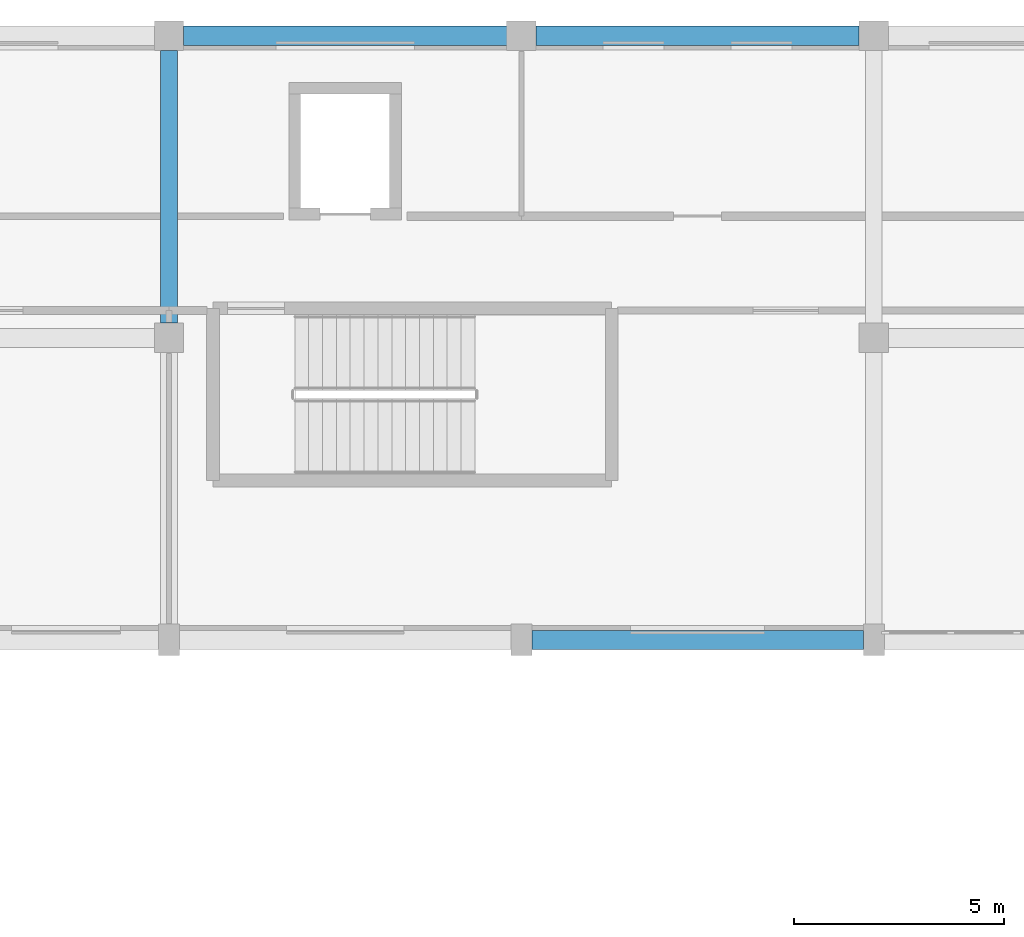
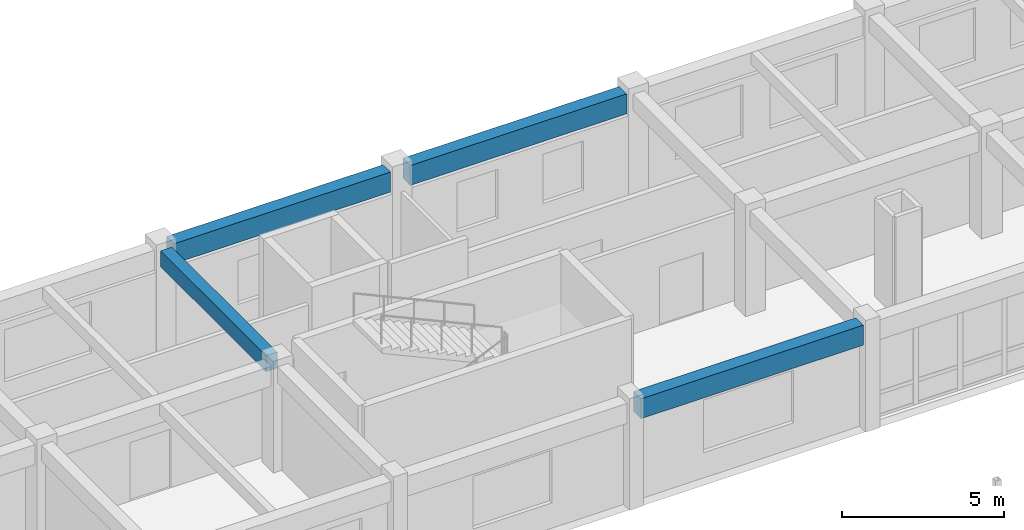
# One storey, part 44 of 90: 4 beams.
"""IFC4 building model written with IfcOpenShell, lengths in metres."""

import ifcopenshell
import ifcopenshell.guid

model = None  # the IFC model being written
_history = None  # IfcOwnerHistory: only IFC2X3 demands one
_inside = {}  # id of a spatial element -> (the spatial element, [elements in it])
_under = {}  # id of a project, library or spatial element -> (it, [spatial elements below it])
_declared = {}  # id of a project -> (the project, [libraries it declares])
_typed = {}  # id of a type object -> (the type object, [elements of that type])
_made_of = {}  # id of a material, layer set ... -> (it, [elements and type objects made of it])


def new_model(schema):
    """Start an empty IFC model of exactly this schema.

    Asked for "IFC4X3", IfcOpenShell would pick the latest addendum, in which some entities
    have other attributes; the version numbers below select the first issue.
    IFC2X3 requires an IfcOwnerHistory on every rooted entity: one is made here for all.
    """
    global model, _history
    if schema == "IFC4X3":
        model = ifcopenshell.file(schema_version=(4, 3, 0, 0))
    else:
        model = ifcopenshell.file(schema=schema)
    _inside.clear()
    _under.clear()
    _declared.clear()
    _typed.clear()
    _made_of.clear()
    _history = None
    if model.schema == "IFC2X3":
        org = make("IfcOrganization", Name="unknown")
        user = make(
            "IfcPersonAndOrganization",
            ThePerson=make("IfcPerson", FamilyName="unknown"),
            TheOrganization=org,
        )
        app = make(
            "IfcApplication",
            ApplicationDeveloper=org,
            Version="unknown",
            ApplicationFullName="unknown",
            ApplicationIdentifier="unknown",
        )
        _history = make(
            "IfcOwnerHistory",
            OwningUser=user,
            OwningApplication=app,
            ChangeAction="ADDED",
            CreationDate=0,
        )
    return model


def make(cls, **values):
    """One entity of the class cls with the attributes given. An attribute that is None is left unset."""
    return model.create_entity(
        cls, **{name: value for name, value in values.items() if value is not None}
    )


def rooted(cls, **values):
    """An entity with a GlobalId (a new one), such as an element, a storey or a relation."""
    return make(cls, GlobalId=ifcopenshell.guid.new(), OwnerHistory=_history, **values)


def si_unit(unit_type, name, prefix=None):
    """IfcSIUnit, for example si_unit("LENGTHUNIT", "METRE", prefix="MILLI")."""
    return make("IfcSIUnit", UnitType=unit_type, Prefix=prefix, Name=name)


def assignment(units):
    """IfcUnitAssignment: the units of a project."""
    return None if units is None else make("IfcUnitAssignment", Units=units)


def point(xyz):
    """IfcCartesianPoint."""
    return None if xyz is None else make("IfcCartesianPoint", Coordinates=xyz)


def direction(xyz):
    """IfcDirection."""
    return None if xyz is None else make("IfcDirection", DirectionRatios=xyz)


def frame(location, z_axis=None, x_axis=None):
    """IfcAxis2Placement3D, a coordinate frame: its origin and axes. An axis left out is left unset."""
    return make(
        "IfcAxis2Placement3D",
        Location=point(location),
        Axis=direction(z_axis),
        RefDirection=direction(x_axis),
    )


def frame_2d(location, x_axis=None):
    """IfcAxis2Placement2D, a coordinate frame in the plane: its origin and x axis."""
    return make(
        "IfcAxis2Placement2D", Location=point(location), RefDirection=direction(x_axis)
    )


def origin():
    """The frame at (0, 0, 0) with its axes left unset."""
    return frame((0.0, 0.0, 0.0))


def origin_2d():
    """The frame at (0, 0) in the plane with its x axis left unset."""
    return frame_2d((0.0, 0.0))


def place(relative_to, where):
    """IfcLocalPlacement: puts the frame where relative to a parent placement (None: the world)."""
    return make(
        "IfcLocalPlacement", PlacementRelTo=relative_to, RelativePlacement=where
    )


def context(
    kind, dimensions, precision=None, world=None, true_north=None, identifier=None
):
    """IfcGeometricRepresentationContext, for example the 3D "Model" context."""
    return make(
        "IfcGeometricRepresentationContext",
        ContextIdentifier=identifier,
        ContextType=kind,
        CoordinateSpaceDimension=dimensions,
        Precision=precision,
        WorldCoordinateSystem=world,
        TrueNorth=true_north,
    )


def subcontext(parent, identifier, kind, view, scale=None):
    """IfcGeometricRepresentationSubContext, for example "Body" below "Model"."""
    return make(
        "IfcGeometricRepresentationSubContext",
        ContextIdentifier=identifier,
        ContextType=kind,
        ParentContext=parent,
        TargetScale=scale,
        TargetView=view,
    )


def project(units=None, contexts=None):
    """IfcProject with its units and contexts."""
    return rooted(
        "IfcProject",
        Name="project",
        RepresentationContexts=contexts,
        UnitsInContext=assignment(units),
    )


def spatial(cls, under=None, at=None, **own):
    """A site, building, storey or space (cls), placed at a placement, below another one or the project."""
    s = rooted(cls, ObjectPlacement=at, **own)
    if under is not None:
        _under.setdefault(under.id(), (under, []))[1].append(s)
    return s


def profile(cls, at=None, kind="AREA", **sizes):
    """A parametric profile (cls). Its sizes go by their IFC names, for example OverallWidth=200.0."""
    return make(cls, ProfileType=kind, Position=at, **sizes)


def rectangle(**sizes):
    """IfcRectangleProfileDef."""
    return profile("IfcRectangleProfileDef", **sizes)


def extrude(swept, where, along, depth):
    """IfcExtrudedAreaSolid: the profile swept, set in the frame where, extruded along a direction by depth."""
    return make(
        "IfcExtrudedAreaSolid",
        SweptArea=swept,
        Position=where,
        ExtrudedDirection=direction(along),
        Depth=depth,
    )


def shape(context_of_items, identifier, shape_type, items):
    """IfcShapeRepresentation: the items that make up one representation, for example the "Body"."""
    return make(
        "IfcShapeRepresentation",
        ContextOfItems=context_of_items,
        RepresentationIdentifier=identifier,
        RepresentationType=shape_type,
        Items=items,
    )


def material(Name=None, Category=None):
    """IfcMaterial."""
    return make("IfcMaterial", Name=Name, Category=Category)


def material_profile(
    of_material, cross_section, Name=None, Category=None, Priority=None
):
    """IfcMaterialProfile: a cross section and its material."""
    return make(
        "IfcMaterialProfile",
        Name=Name,
        Material=of_material,
        Profile=cross_section,
        Priority=Priority,
        Category=Category,
    )


def profile_set(profiles, Name=None, composite=None):
    """IfcMaterialProfileSet."""
    return make(
        "IfcMaterialProfileSet",
        Name=Name,
        MaterialProfiles=profiles,
        CompositeProfile=composite,
    )


def made_of(thing, what):
    """Note that an element or type object is made of a material, layer set ...; save() writes the relation."""
    if what is not None:
        _made_of.setdefault(what.id(), (what, []))[1].append(thing)
    return thing


def type_object(cls, material=None, **own):
    """A type object (cls), such as IfcWallType, which elements share."""
    return made_of(rooted(cls, **own), material)


def element(
    cls,
    number,
    at=None,
    inside=None,
    cuts=None,
    type_object=None,
    material=None,
    context=None,
    identifier="Body",
    shape_type=None,
    held_by="IfcProductDefinitionShape",
    body=None,
    shapes=None,
    **own,
):
    """One element of the class cls, such as IfcWall. Its Tag is "e" and its number.

    at: its placement. inside: the storey or other place that contains it. cuts: it is an
    opening in that element (IfcRelVoidsElement). A single representation is given by context,
    identifier, shape_type and body (its items); several are given by shapes. held_by: the class
    of the entity that holds the representations. save() writes the other relations.
    """
    e = rooted(cls, Tag="e%d" % number, ObjectPlacement=at, **own)
    if body is not None:
        shapes = [shape(context, identifier, shape_type, body)]
    if shapes is not None:
        e.Representation = make(held_by, Representations=shapes)
    if inside is not None:
        _inside.setdefault(inside.id(), (inside, []))[1].append(e)
    if cuts is not None:
        rooted(
            "IfcRelVoidsElement", RelatingBuildingElement=cuts, RelatedOpeningElement=e
        )
    if type_object is not None:
        _typed.setdefault(type_object.id(), (type_object, []))[1].append(e)
    return made_of(e, material)


def aggregate(whole, parts):
    """IfcRelAggregates: a whole, such as a stair, and the parts it consists of."""
    return rooted("IfcRelAggregates", RelatingObject=whole, RelatedObjects=parts)


def save(model, path):
    """Write the relations noted so far, then the file.

    IfcRelAggregates (storeys below a building ...), IfcRelContainedInSpatialStructure (elements
    in a storey), IfcRelDefinesByType, IfcRelAssociatesMaterial and IfcRelDeclares: one each for
    every whole, place, type object, material and project.
    """
    for whole, parts in _under.values():
        aggregate(whole, parts)
    for where, things in _inside.values():
        rooted(
            "IfcRelContainedInSpatialStructure",
            RelatedElements=things,
            RelatingStructure=where,
        )
    for kind, things in _typed.values():
        rooted("IfcRelDefinesByType", RelatedObjects=things, RelatingType=kind)
    for what, things in _made_of.values():
        rooted("IfcRelAssociatesMaterial", RelatedObjects=things, RelatingMaterial=what)
    for by, libraries in _declared.values():
        rooted("IfcRelDeclares", RelatingContext=by, RelatedDefinitions=libraries)
    model.write(path)


model = new_model("IFC4")

# Units and contexts
model_context = context("Model", 3, precision=1e-05, world=origin(), true_north=direction((0.0, 1.0)))
body_context = subcontext(model_context, "Body", "Model", "MODEL_VIEW")
ifc_project = project(units=[si_unit("LENGTHUNIT", "METRE"), si_unit("AREAUNIT", "SQUARE_METRE"), si_unit("VOLUMEUNIT", "CUBIC_METRE"), si_unit("PLANEANGLEUNIT", "RADIAN"), si_unit("MASSUNIT", "GRAM", prefix="KILO")], contexts=[model_context])

# Site, building, storey
site_placement = place(None, origin())
site = spatial("IfcSite", under=ifc_project, at=site_placement, CompositionType="ELEMENT")
building_placement = place(site_placement, origin())
building = spatial("IfcBuilding", under=site, at=building_placement, Name="Malvenik Polytechnic", CompositionType="ELEMENT")
storey_placement = place(building_placement, frame((0.0, 0.0, 9.300048828125)))
storey = spatial("IfcBuildingStorey", under=building, at=storey_placement, Name="L02", CompositionType="ELEMENT", Elevation=9.300048828125)

# Beams
ifc_material_1 = material(Name="Concrete C35/45", Category="concrete")
ifc_material_profile_1 = material_profile(ifc_material_1, rectangle(XDim=0.39990234375, YDim=0.60009765625, at=origin_2d()), Name="RC BM 400x600")
ifc_profile_set_1 = profile_set([ifc_material_profile_1], Name="Concrete C35/45")
beam_type_1 = type_object("IfcBeamType", Name="STR-BM-B-06", PredefinedType="BEAM", material=ifc_profile_set_1)
beam_1_placement = place(storey_placement, frame((50.39990234375, 122.748046875, 3.639892578125), z_axis=(0.0, 1.0, 0.0), x_axis=(-1.0, 0.0, 0.0)))
element("IfcBeam", 1, at=beam_1_placement, inside=storey, type_object=beam_type_1, Name="Transverse Beam B-06 L02 #1496", PredefinedType="BEAM", context=body_context, shape_type="SweptSolid", body=[
    extrude(rectangle(XDim=0.39990234375, YDim=0.60009765625, at=origin_2d()), origin(), (0.0, 0.0, 1.0), 6.50390625),
])
ifc_material_2 = material(Name="Precast concrete C40/50", Category="concrete")
ifc_material_profile_2 = material_profile(ifc_material_2, rectangle(XDim=0.4599609375, YDim=0.75, at=origin_2d()), Name="PC SPN 460x750")
ifc_profile_set_2 = profile_set([ifc_material_profile_2], Name="Precast concrete C40/50")
beam_type_2 = type_object("IfcBeamType", Name="STR-BM-SP-02", PredefinedType="SPANDREL", material=ifc_profile_set_2)
beam_2_placement = place(storey_placement, frame((59.048095703125, 115.199951171875, 3.56494140625), z_axis=(1.0, 0.0, 0.0), x_axis=(0.0, 1.0, 0.0)))
element("IfcBeam", 2, at=beam_2_placement, inside=storey, type_object=beam_type_2, Name="Primary Beam SP-02 L02 #1428", PredefinedType="SPANDREL", context=body_context, shape_type="SweptSolid", body=[
    extrude(rectangle(XDim=0.4599609375, YDim=0.75, at=origin_2d()), origin(), (0.0, 0.0, 1.0), 7.90380859375),
])
beam_3_placement = place(storey_placement, frame((50.748046875, 129.60009765625, 3.56494140625), z_axis=(1.0, 0.0, 0.0), x_axis=(0.0, 1.0, 0.0)))
element("IfcBeam", 3, at=beam_3_placement, inside=storey, type_object=beam_type_2, Name="Primary Beam SP-02 L02 #1453", PredefinedType="SPANDREL", context=body_context, shape_type="SweptSolid", body=[
    extrude(rectangle(XDim=0.4599609375, YDim=0.75, at=origin_2d()), origin(), (0.0, 0.0, 1.0), 7.703857421875),
])
beam_4_placement = place(storey_placement, frame((59.14794921875, 129.60009765625, 3.56494140625), z_axis=(1.0, 0.0, 0.0), x_axis=(0.0, 1.0, 0.0)))
element("IfcBeam", 4, at=beam_4_placement, inside=storey, type_object=beam_type_2, Name="Primary Beam SP-02 L02 #1454", PredefinedType="SPANDREL", context=body_context, shape_type="SweptSolid", body=[
    extrude(rectangle(XDim=0.4599609375, YDim=0.75, at=origin_2d()), origin(), (0.0, 0.0, 1.0), 7.7041015625),
])

save(model, "model.ifc")
